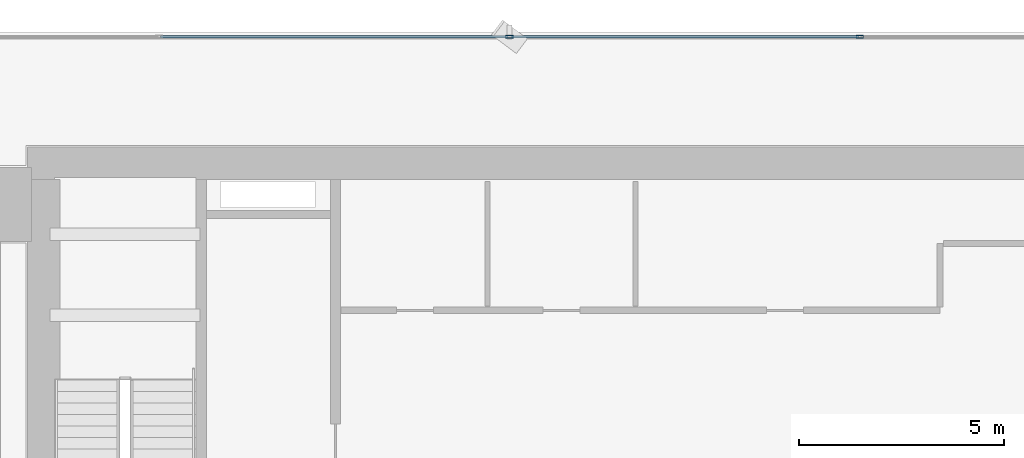
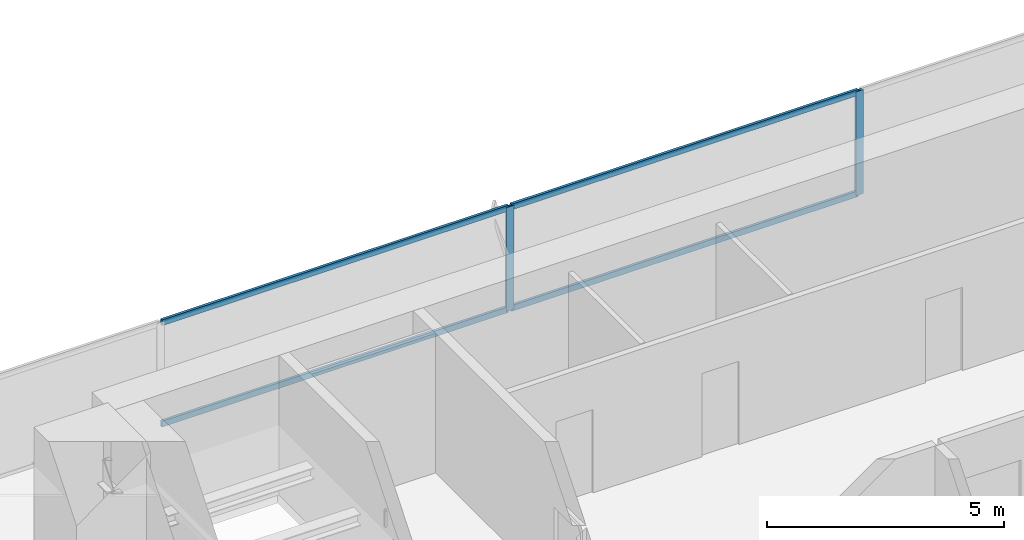
# One storey, part 19 of 33: 6 members, 1 element without a shape of its own.
"""IFC4 building model written with IfcOpenShell, lengths in metres."""

from ifc_helpers import new_model, si_unit, direction, frame, origin, origin_2d, place, context, subcontext, project, spatial, hollow_rectangle, extrude, source, transform, mapped, material, layer, layer_set, material_profile, profile_set, type_object, element, aggregate, save


model = new_model("IFC4")

# Units and contexts
model_context = context("Model", 3, precision=1e-05, world=origin(), true_north=direction((0.0, 1.0)))
body_context = subcontext(model_context, "Body", "Model", "MODEL_VIEW")
ifc_project = project(units=[si_unit("LENGTHUNIT", "METRE"), si_unit("AREAUNIT", "SQUARE_METRE"), si_unit("VOLUMEUNIT", "CUBIC_METRE"), si_unit("PLANEANGLEUNIT", "RADIAN"), si_unit("MASSUNIT", "GRAM", prefix="KILO")], contexts=[model_context])

# Site, building, storey
site_placement = place(None, origin())
site = spatial("IfcSite", under=ifc_project, at=site_placement, CompositionType="ELEMENT")
building_placement = place(site_placement, origin())
building = spatial("IfcBuilding", under=site, at=building_placement, Name="Sumidabori Civic Tower", CompositionType="ELEMENT")
storey_placement = place(building_placement, frame((0.0, 0.0, 66.800048828125)))
storey = spatial("IfcBuildingStorey", under=building, at=storey_placement, Name="L17", CompositionType="ELEMENT", Elevation=66.800048828125)

# Curtain wall, members
ifc_material = material(Name="Anodised Bronze Aluminium AW-6063-T6", Category="aluminium")
ifc_layer = layer(ifc_material, 0.179931640625, Name="Anodised Bronze Aluminium AW-6063-T6")
ifc_layer_set = layer_set([ifc_layer], Name="Anodised Bronze Aluminium AW-6063-T6")
curtain_wall_type = type_object("IfcCurtainWallType", Name="CW-SYS-2", PredefinedType="NOTDEFINED", material=ifc_layer_set)
curtain_wall_placement = place(storey_placement, origin())
curtain_wall = element("IfcCurtainWall", 1, at=curtain_wall_placement, inside=storey, type_object=curtain_wall_type, Name="Curtain Wall CW:L17:R07", PredefinedType="NOTDEFINED")
ifc_material_profile_1 = material_profile(ifc_material, hollow_rectangle(XDim=0.06494140625, YDim=0.14990234375, WallThickness=0.0048828125, at=origin_2d()), Name="ALU TRANSOM 150x65")
ifc_profile_set_1 = profile_set([ifc_material_profile_1], Name="Anodised Bronze Aluminium AW-6063-T6")
member_type_1 = type_object("IfcMemberType", Name="CW-TRN-150", PredefinedType="USERDEFINED", material=ifc_profile_set_1)
shared_shape_1 = source(origin(), body_context, "Body", "SweptSolid", [
    extrude(hollow_rectangle(XDim=0.06494140625, YDim=0.14990234375, WallThickness=0.0048828125, at=origin_2d()), origin(), (0.0, 0.0, 1.0), 8.4580078125),
])
member_1_placement = place(storey_placement, frame((4.22900390625, 26.8798828125, 0.032470703125), z_axis=(-1.0, 0.0, 0.0), x_axis=(0.0, -1.0, 0.0)))
member_1 = element("IfcMember", 2, at=member_1_placement, type_object=member_type_1, Name="CW-2 transom 3.1", ObjectType="TRANSOM", PredefinedType="USERDEFINED", context=body_context, shape_type="MappedRepresentation", body=[
    mapped(shared_shape_1, transform((0.0, 0.0, 0.0), x_axis=(1.0, 0.0, 0.0), y_axis=(0.0, 1.0, 0.0), z_axis=(0.0, 0.0, 1.0), scale=1.0)),
])
member_2_placement = place(storey_placement, frame((4.22900390625, 26.8798828125, 2.6474609375), z_axis=(-1.0, 0.0, 0.0), x_axis=(0.0, -1.0, 0.0)))
member_2 = element("IfcMember", 3, at=member_2_placement, type_object=member_type_1, Name="CW-2 transom 3.2", ObjectType="TRANSOM", PredefinedType="USERDEFINED", context=body_context, shape_type="MappedRepresentation", body=[
    mapped(shared_shape_1, transform((0.0, 0.0, 0.0), x_axis=(1.0, 0.0, 0.0), y_axis=(0.0, 1.0, 0.0), z_axis=(0.0, 0.0, 1.0), scale=1.0)),
])
member_3_placement = place(storey_placement, frame((-4.299072265625, 26.8798828125, 0.032470703125), z_axis=(-1.0, 0.0, 0.0), x_axis=(0.0, -1.0, 0.0)))
member_3 = element("IfcMember", 4, at=member_3_placement, type_object=member_type_1, Name="CW-2 transom 4.1", ObjectType="TRANSOM", PredefinedType="USERDEFINED", context=body_context, shape_type="MappedRepresentation", body=[
    mapped(shared_shape_1, transform((0.0, 0.0, 0.0), x_axis=(1.0, 0.0, 0.0), y_axis=(0.0, 1.0, 0.0), z_axis=(0.0, 0.0, 1.0), scale=1.0)),
])
member_4_placement = place(storey_placement, frame((-4.299072265625, 26.8798828125, 2.6474609375), z_axis=(-1.0, 0.0, 0.0), x_axis=(0.0, -1.0, 0.0)))
member_4 = element("IfcMember", 5, at=member_4_placement, type_object=member_type_1, Name="CW-2 transom 4.2", ObjectType="TRANSOM", PredefinedType="USERDEFINED", context=body_context, shape_type="MappedRepresentation", body=[
    mapped(shared_shape_1, transform((0.0, 0.0, 0.0), x_axis=(1.0, 0.0, 0.0), y_axis=(0.0, 1.0, 0.0), z_axis=(0.0, 0.0, 1.0), scale=1.0)),
])
ifc_material_profile_2 = material_profile(ifc_material, hollow_rectangle(XDim=0.070068359375, YDim=0.179931640625, WallThickness=0.006103515625, at=origin_2d()), Name="ALU MULLION 180x70")
ifc_profile_set_2 = profile_set([ifc_material_profile_2], Name="Anodised Bronze Aluminium AW-6063-T6")
member_type_2 = type_object("IfcMemberType", Name="CW-MUL-180", PredefinedType="MULLION", material=ifc_profile_set_2)
shared_shape_2 = source(origin(), body_context, "Body", "SweptSolid", [
    extrude(hollow_rectangle(XDim=0.070068359375, YDim=0.179931640625, WallThickness=0.006103515625, at=origin_2d()), origin(), (0.0, 0.0, 1.0), 2.679931640625),
])
member_5_placement = place(storey_placement, frame((4.263916015625, 26.8798828125, 0.0), z_axis=(0.0, 0.0, 1.0), x_axis=(0.0, -1.0, 0.0)))
member_5 = element("IfcMember", 6, at=member_5_placement, type_object=member_type_2, Name="CW-2 mullion 3", PredefinedType="MULLION", context=body_context, shape_type="MappedRepresentation", body=[
    mapped(shared_shape_2, transform((0.0, 0.0, 0.0), x_axis=(1.0, 0.0, 0.0), y_axis=(0.0, 1.0, 0.0), z_axis=(0.0, 0.0, 1.0), scale=1.0)),
])
member_6_placement = place(storey_placement, frame((-4.263916015625, 26.8798828125, 0.0), z_axis=(0.0, 0.0, 1.0), x_axis=(0.0, -1.0, 0.0)))
member_6 = element("IfcMember", 7, at=member_6_placement, type_object=member_type_2, Name="CW-2 mullion 4", PredefinedType="MULLION", context=body_context, shape_type="MappedRepresentation", body=[
    mapped(shared_shape_2, transform((0.0, 0.0, 0.0), x_axis=(1.0, 0.0, 0.0), y_axis=(0.0, 1.0, 0.0), z_axis=(0.0, 0.0, 1.0), scale=1.0)),
])
aggregate(curtain_wall, [member_5, member_6, member_1, member_2, member_3, member_4])

save(model, "model.ifc")
